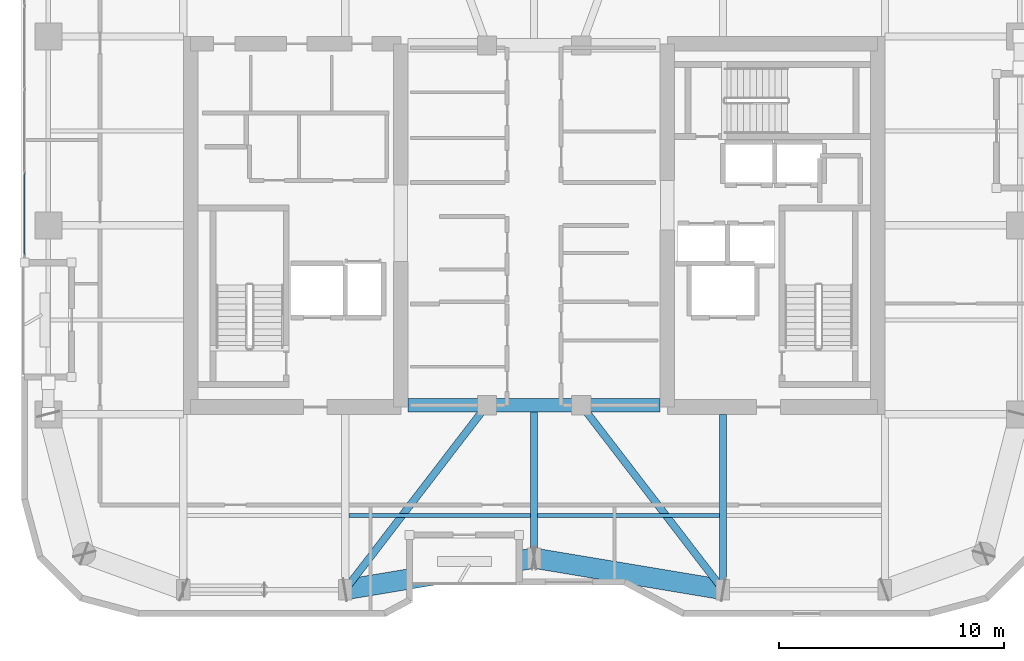
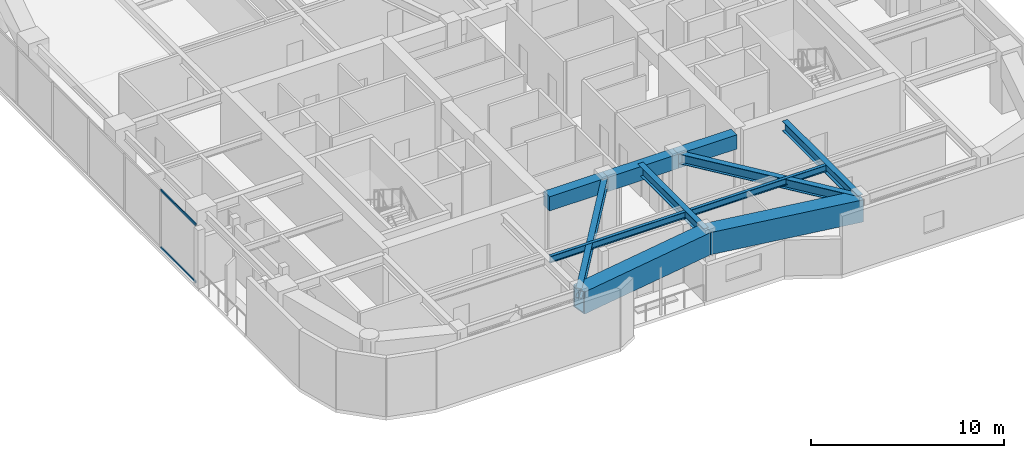
# One storey, part 3 of 21: 11 beams, 2 members, 1 element without a shape of its own.
"""IFC4 building model written with IfcOpenShell, lengths in metres."""

from ifc_helpers import new_model, si_unit, direction, frame, origin, origin_2d, place, context, subcontext, project, spatial, rectangle, hollow_rectangle, i_section, extrude, material, layer, layer_set, material_profile, profile_set, type_object, element, aggregate, save


model = new_model("IFC4")

# Units and contexts
model_context = context("Model", 3, precision=1e-05, world=origin(), true_north=direction((0.0, 1.0)))
body_context = subcontext(model_context, "Body", "Model", "MODEL_VIEW")
ifc_project = project(units=[si_unit("LENGTHUNIT", "METRE"), si_unit("AREAUNIT", "SQUARE_METRE"), si_unit("VOLUMEUNIT", "CUBIC_METRE"), si_unit("PLANEANGLEUNIT", "RADIAN"), si_unit("MASSUNIT", "GRAM", prefix="KILO")], contexts=[model_context])

# Site, building, storey
site_placement = place(None, origin())
site = spatial("IfcSite", under=ifc_project, at=site_placement, CompositionType="ELEMENT")
building_placement = place(site_placement, origin())
building = spatial("IfcBuilding", under=site, at=building_placement, Name="Kiyonajd Concourse Tower", CompositionType="ELEMENT")
storey_placement = place(building_placement, frame((0.0, 0.0, 227.10009765625)))
storey = spatial("IfcBuildingStorey", under=building, at=storey_placement, Name="L57", CompositionType="ELEMENT", Elevation=227.10009765625)

# Beams
ifc_material_1 = material(Name="Concrete C60/75", Category="concrete")
ifc_material_profile_1 = material_profile(ifc_material_1, rectangle(XDim=0.60009765625, YDim=0.89990234375, at=origin_2d()), Name="RCBM-600x900")
ifc_profile_set_1 = profile_set([ifc_material_profile_1], Name="Concrete C60/75")
beam_type_1 = type_object("IfcBeamType", Name="BM-COUP-900", PredefinedType="LINTEL", material=ifc_profile_set_1)
beam_1_placement = place(storey_placement, frame((42.39990234375, 28.0, 3.22998046875), z_axis=(1.0, 0.0, 0.0), x_axis=(0.0, 1.0, 0.0)))
element("IfcBeam", 1, at=beam_1_placement, inside=storey, type_object=beam_type_1, Name="L57 Core Coupling Beam S1", PredefinedType="LINTEL", context=body_context, shape_type="SweptSolid", body=[
    extrude(rectangle(XDim=0.60009765625, YDim=0.89990234375, at=origin_2d()), origin(), (0.0, 0.0, 1.0), 3.5),
])
beam_2_placement = place(storey_placement, frame((45.89990234375, 28.0, 3.22998046875), z_axis=(1.0, 0.0, 0.0), x_axis=(0.0, 1.0, 0.0)))
element("IfcBeam", 2, at=beam_2_placement, inside=storey, type_object=beam_type_1, Name="L57 Core Coupling Beam S2", PredefinedType="LINTEL", context=body_context, shape_type="SweptSolid", body=[
    extrude(rectangle(XDim=0.60009765625, YDim=0.89990234375, at=origin_2d()), origin(), (0.0, 0.0, 1.0), 4.2001953125),
])
beam_3_placement = place(storey_placement, frame((50.10009765625, 28.0, 3.22998046875), z_axis=(1.0, 0.0, 0.0), x_axis=(0.0, 1.0, 0.0)))
element("IfcBeam", 3, at=beam_3_placement, inside=storey, type_object=beam_type_1, Name="L57 Core Coupling Beam S3", PredefinedType="LINTEL", context=body_context, shape_type="SweptSolid", body=[
    extrude(rectangle(XDim=0.60009765625, YDim=0.89990234375, at=origin_2d()), origin(), (0.0, 0.0, 1.0), 3.5),
])
ifc_material_2 = material(Name="Steel ASTM A992 Grade 50", Category="steel")
ifc_material_profile_2 = material_profile(ifc_material_2, i_section(OverallWidth=0.180908203125, OverallDepth=0.4169921875, WebThickness=0.010986328125, FlangeThickness=0.018310546875, at=origin_2d()), Name="W410X85")
ifc_profile_set_2 = profile_set([ifc_material_profile_2], Name="Steel ASTM A992 Grade 50")
beam_type_2 = type_object("IfcBeamType", Name="BM-JST-410", PredefinedType="JOIST", material=ifc_profile_set_2)
for number, where, z_axis, x_axis, name in (
    (4, (39.761962890625, 23.10009765625, 3.471435546875), (1.0, 0.0, 0.0), (0.0, 1.0, 0.0), "L57 Secondary Floor Joist"),
    (5, (48.162109375, 23.10009765625, 3.471435546875), (1.0, 0.0, 0.0), (0.0, 1.0, 0.0), "L57 Secondary Floor Joist"),
):
    element("IfcBeam", number, at=place(storey_placement, frame(where, z_axis=z_axis, x_axis=x_axis)), inside=storey, type_object=beam_type_2, Name=name, PredefinedType="JOIST", context=body_context, shape_type="SweptSolid", body=[
        extrude(i_section(OverallWidth=0.180908203125, OverallDepth=0.4169921875, WebThickness=0.010986328125, FlangeThickness=0.018310546875, at=origin_2d()), origin(), (0.0, 0.0, 1.0), 8.075927734375),
    ])
ifc_material_profile_3 = material_profile(ifc_material_2, i_section(OverallWidth=0.326904296875, OverallDepth=0.6220703125, WebThickness=0.015380859375, FlangeThickness=0.0244140625, at=origin_2d()), Name="W610X195")
ifc_profile_set_3 = profile_set([ifc_material_profile_3], Name="Steel ASTM A992 Grade 50")
beam_type_3 = type_object("IfcBeamType", Name="BM-TWR-610A", PredefinedType="BEAM", material=ifc_profile_set_3)
for number, where, z_axis, x_axis, name in (
    (6, (39.60009765625, 19.800048828125, 3.368896484375), (0.609233709922, 0.792990722956, 0.0), (-0.792990722956, 0.609233709922, 0.0), "L57 Core Tie Girder"),
    (7, (50.10009765625, 28.0, 3.368896484375), (0.609233709922, -0.792990722956, 0.0), (0.792990722956, 0.609233709922, 0.0), "L57 Core Tie Girder"),
):
    element("IfcBeam", number, at=place(storey_placement, frame(where, z_axis=z_axis, x_axis=x_axis)), inside=storey, type_object=beam_type_3, Name=name, PredefinedType="BEAM", context=body_context, shape_type="SweptSolid", body=[
        extrude(i_section(OverallWidth=0.326904296875, OverallDepth=0.6220703125, WebThickness=0.015380859375, FlangeThickness=0.0244140625, at=origin_2d()), origin(), (0.0, 0.0, 1.0), 10.340576171875),
    ])
ifc_material_profile_4 = material_profile(ifc_material_2, i_section(OverallWidth=0.323974609375, OverallDepth=0.611083984375, WebThickness=0.0126953125, FlangeThickness=0.01904296875, at=origin_2d()), Name="W610X155")
ifc_profile_set_4 = profile_set([ifc_material_profile_4], Name="Steel ASTM A992 Grade 50")
beam_type_4 = type_object("IfcBeamType", Name="BM-TWR-610B", PredefinedType="BEAM", material=ifc_profile_set_4)
beam_4_placement = place(storey_placement, frame((56.39990234375, 19.800048828125, 3.37451171875), z_axis=(0.0, 1.0, 0.0), x_axis=(-1.0, 0.0, 0.0)))
element("IfcBeam", 8, at=beam_4_placement, inside=storey, type_object=beam_type_4, Name="L57 South Lease Girder", PredefinedType="BEAM", context=body_context, shape_type="SweptSolid", body=[
    extrude(i_section(OverallWidth=0.323974609375, OverallDepth=0.611083984375, WebThickness=0.0126953125, FlangeThickness=0.01904296875, at=origin_2d()), origin(), (0.0, 0.0, 1.0), 7.800048828125),
])
beam_5_placement = place(storey_placement, frame((48.0, 21.199951171875, 3.37451171875), z_axis=(0.0, 1.0, 0.0), x_axis=(-1.0, 0.0, 0.0)))
element("IfcBeam", 9, at=beam_5_placement, inside=storey, type_object=beam_type_4, Name="L57 South Ribbon Girder", PredefinedType="BEAM", context=body_context, shape_type="SweptSolid", body=[
    extrude(i_section(OverallWidth=0.323974609375, OverallDepth=0.611083984375, WebThickness=0.0126953125, FlangeThickness=0.01904296875, at=origin_2d()), origin(), (0.0, 0.0, 1.0), 6.800048828125),
])
ifc_material_3 = material(Name="Steel ASTM A572 Grade 50", Category="steel")
ifc_material_profile_5 = material_profile(ifc_material_3, hollow_rectangle(XDim=0.89990234375, YDim=1.39990234375, WallThickness=0.070068359375, at=origin_2d()), Name="BOX-1400x900x70")
ifc_profile_set_5 = profile_set([ifc_material_profile_5], Name="Steel ASTM A572 Grade 50")
beam_type_5 = type_object("IfcBeamType", Name="BM-XFER-1400", PredefinedType="BEAM", material=ifc_profile_set_5)
for number, where, z_axis, x_axis, name in (
    (10, (39.60009765625, 19.800048828125, 2.97998046875), (0.986395473479, 0.164389689151, 0.0), (-0.164389689151, 0.986395473479, 0.0), "L57 Perimeter Bundled Tube Spandrel"),
    (11, (48.0, 21.199951171875, 2.97998046875), (0.986395473479, -0.164389689151, 0.0), (0.164389689151, 0.986395473479, 0.0), "L57 Perimeter Bundled Tube Spandrel"),
):
    element("IfcBeam", number, at=place(storey_placement, frame(where, z_axis=z_axis, x_axis=x_axis)), inside=storey, type_object=beam_type_5, Name=name, PredefinedType="BEAM", context=body_context, shape_type="SweptSolid", body=[
        extrude(hollow_rectangle(XDim=0.89990234375, YDim=1.39990234375, WallThickness=0.070068359375, at=origin_2d()), origin(), (0.0, 0.0, 1.0), 8.515869140625),
    ])

# Curtain wall, members
ifc_material_4 = material(Name="Thermally Broken Anodised Aluminium", Category="aluminium")
ifc_layer = layer(ifc_material_4, 0.179931640625)
ifc_layer_set = layer_set([ifc_layer], Name="Thermally Broken Anodised Aluminium")
curtain_wall_type = type_object("IfcCurtainWallType", Name="CW-SYS-04", PredefinedType="NOTDEFINED", material=ifc_layer_set)
curtain_wall_placement = place(storey_placement, origin())
curtain_wall = element("IfcCurtainWall", 12, at=curtain_wall_placement, inside=storey, type_object=curtain_wall_type, Name="L57 Unitised Curtain Wall CW4", PredefinedType="NOTDEFINED")
ifc_material_profile_6 = material_profile(ifc_material_4, hollow_rectangle(XDim=0.06494140625, YDim=0.139892578125, WallThickness=0.00390625, at=origin_2d()), Name="TRAN-65x140")
ifc_profile_set_6 = profile_set([ifc_material_profile_6], Name="Thermally Broken Anodised Aluminium")
member_type = type_object("IfcMemberType", Name="MB-CW-TRAN1", PredefinedType="USERDEFINED", material=ifc_profile_set_6)
member_1_placement = place(storey_placement, frame((25.340087890625, 34.695068359375, 0.032470703125), z_axis=(0.0, 1.0, 0.0), x_axis=(-1.0, 0.0, 0.0)))
member_1 = element("IfcMember", 13, at=member_1_placement, type_object=member_type, Name="CW4 transom 1.1", ObjectType="TRANSOM", PredefinedType="USERDEFINED", context=body_context, shape_type="SweptSolid", body=[
    extrude(hollow_rectangle(XDim=0.06494140625, YDim=0.139892578125, WallThickness=0.00390625, at=origin_2d()), origin(), (0.0, 0.0, 1.0), 3.61279296875),
])
member_2_placement = place(storey_placement, frame((25.340087890625, 34.695068359375, 3.6474609375), z_axis=(0.0, 1.0, 0.0), x_axis=(-1.0, 0.0, 0.0)))
member_2 = element("IfcMember", 14, at=member_2_placement, type_object=member_type, Name="CW4 transom 1.2", ObjectType="TRANSOM", PredefinedType="USERDEFINED", context=body_context, shape_type="SweptSolid", body=[
    extrude(hollow_rectangle(XDim=0.06494140625, YDim=0.139892578125, WallThickness=0.00390625, at=origin_2d()), origin(), (0.0, 0.0, 1.0), 3.61279296875),
])
aggregate(curtain_wall, [member_1, member_2])

save(model, "model.ifc")
